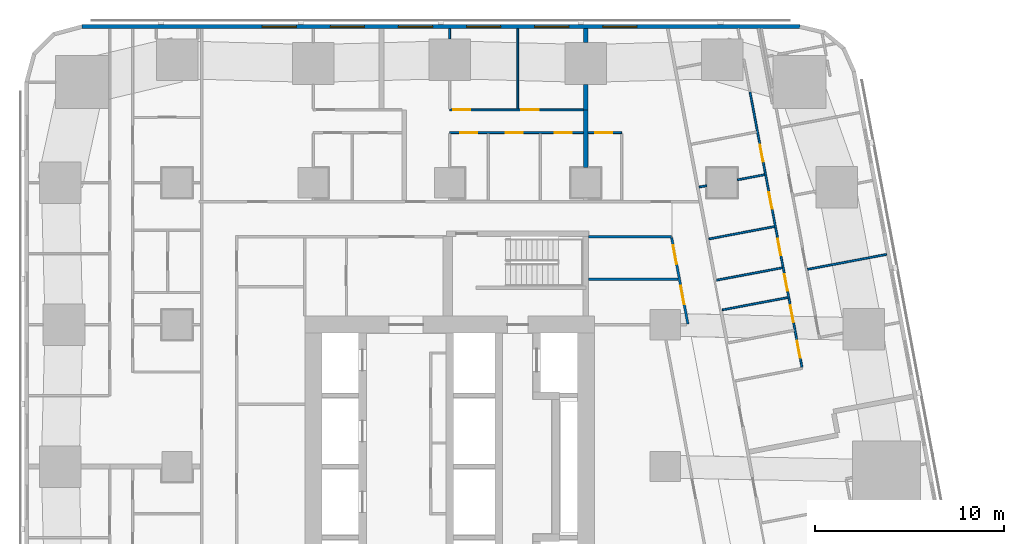
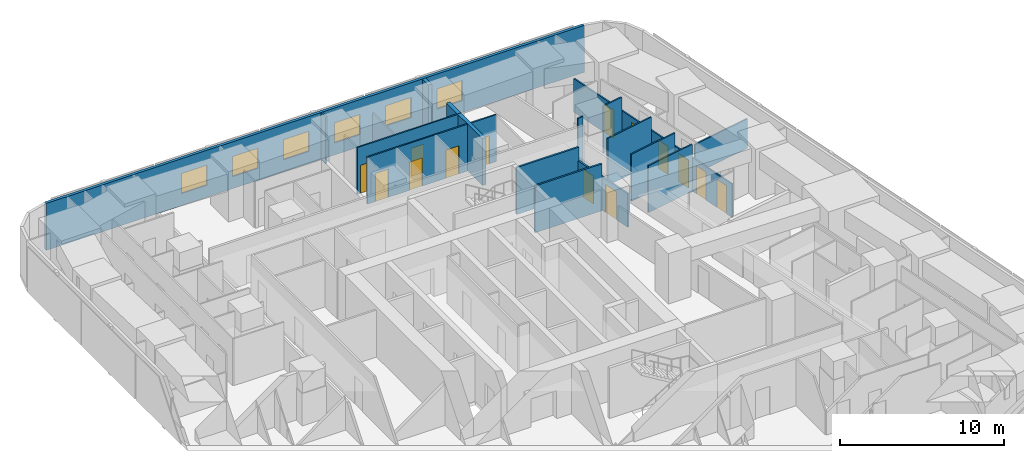
# One storey, part 11 of 17: 19 walls, 14 doors, 6 windows, 20 openings.
"""IFC4 building model written with IfcOpenShell, lengths in metres."""

from ifc_helpers import new_model, si_unit, direction, frame, frame_2d, origin, place, context, subcontext, project, spatial, rectangle, extrude, material, layer, layer_set, type_object, element, fill, save


model = new_model("IFC4")

# Units and contexts
model_context = context("Model", 3, precision=1e-05, world=origin(), true_north=direction((0.0, 1.0)))
body_context = subcontext(model_context, "Body", "Model", "MODEL_VIEW")
ifc_project = project(units=[si_unit("LENGTHUNIT", "METRE"), si_unit("AREAUNIT", "SQUARE_METRE"), si_unit("VOLUMEUNIT", "CUBIC_METRE"), si_unit("PLANEANGLEUNIT", "RADIAN"), si_unit("MASSUNIT", "GRAM", prefix="KILO")], contexts=[model_context])

# Site, building, storey
site_placement = place(None, origin())
site = spatial("IfcSite", under=ifc_project, at=site_placement, CompositionType="ELEMENT")
building_placement = place(site_placement, origin())
building = spatial("IfcBuilding", under=site, at=building_placement, Name="Sheger Commons Tower", CompositionType="ELEMENT")
storey_placement = place(building_placement, frame((0.0, 0.0, 115.39990234375)))
storey = spatial("IfcBuildingStorey", under=building, at=storey_placement, Name="L29", CompositionType="ELEMENT", Elevation=115.39990234375)

# Walls
ifc_material_1 = material(Name="Dense concrete block masonry, plastered both sides (separating wall between flats)", Category="masonry")
ifc_layer_1 = layer(ifc_material_1, 0.25)
ifc_layer_set_1 = layer_set([ifc_layer_1], Name="DEMISING WALL 250")
wall_type_1 = type_object("IfcWallType", Name="DEMISING WALL 250", PredefinedType="SOLIDWALL", material=ifc_layer_set_1)
wall_1_placement = place(storey_placement, frame((28.800048828125, 41.35009765625, 0.0), z_axis=(0.0, 0.0, 1.0), x_axis=(0.0, 1.0, 0.0)))
element("IfcWall", 1, at=wall_1_placement, inside=storey, type_object=wall_type_1, Name="Demising wall L29", PredefinedType="SOLIDWALL", context=body_context, shape_type="SweptSolid", body=[
    extrude(rectangle(XDim=1.348876953125, YDim=0.25, at=frame_2d((0.67431640625, 0.0))), origin(), (0.0, 0.0, 1.0), 3.5),
])
wall_2_placement = place(storey_placement, frame((28.800048828125, 44.90087890625, 0.0), z_axis=(0.0, 0.0, 1.0), x_axis=(0.0, 1.0, 0.0)))
element("IfcWall", 2, at=wall_2_placement, inside=storey, type_object=wall_type_1, Name="Demising wall L29", PredefinedType="SOLIDWALL", context=body_context, shape_type="SweptSolid", body=[
    extrude(rectangle(XDim=0.7490234375, YDim=0.25, at=frame_2d((0.37451171875, 0.0))), origin(), (0.0, 0.0, 1.0), 3.5),
])
wall_3_placement = place(storey_placement, frame((28.800048828125, 38.301025390625, 0.0), z_axis=(0.0, 0.0, 1.0), x_axis=(0.0, 1.0, 0.0)))
element("IfcWall", 3, at=wall_3_placement, inside=storey, type_object=wall_type_1, Name="Demising wall L29", PredefinedType="SOLIDWALL", context=body_context, shape_type="SweptSolid", body=[
    extrude(rectangle(XDim=3.049072265625, YDim=0.25, at=frame_2d((1.5244140625, 0.0))), origin(), (0.0, 0.0, 1.0), 3.5),
])

# Wall, openings, windows
ifc_material_2 = material(Name="Rendered concrete block masonry, dark grey", Category="masonry")
ifc_layer_2 = layer(ifc_material_2, 0.199951171875)
ifc_layer_set_2 = layer_set([ifc_layer_2], Name="FACADE WALL 200")
wall_type_2 = type_object("IfcWallType", Name="FACADE WALL 200", PredefinedType="SOLIDWALL", material=ifc_layer_set_2)
wall_4_placement = place(storey_placement, frame((40.10595703125, 45.75, 0.0), z_axis=(0.0, 0.0, 1.0), x_axis=(-1.0, 0.0, 0.0)))
wall_4 = element("IfcWall", 4, at=wall_4_placement, inside=storey, type_object=wall_type_2, Name="Facade wall L29", PredefinedType="SOLIDWALL", context=body_context, shape_type="SweptSolid", body=[
    extrude(rectangle(XDim=37.94287109375, YDim=0.199951171875, at=frame_2d((18.971435546875, 0.0))), origin(), (0.0, 0.0, 1.0), 3.5),
])
opening_1_placement = place(wall_4_placement, frame((8.60595703125, 0.0, 0.89990234375)))
opening_1 = element("IfcOpeningElement", 5, at=opening_1_placement, cuts=wall_4, Name="Opening W2", PredefinedType="OPENING", context=body_context, shape_type="SweptSolid", body=[
    extrude(rectangle(XDim=1.800048828125, YDim=1.5, at=frame_2d((0.89990234375, 0.75))), frame((0.0, 0.10986328125, 0.0), z_axis=(0.0, -1.0, 0.0), x_axis=(1.0, 0.0, 0.0)), (0.0, 0.0, 1.0), 0.219970703125),
])
opening_2_placement = place(wall_4_placement, frame((12.2060546875, 0.0, 0.89990234375)))
opening_2 = element("IfcOpeningElement", 6, at=opening_2_placement, cuts=wall_4, Name="Opening W2", PredefinedType="OPENING", context=body_context, shape_type="SweptSolid", body=[
    extrude(rectangle(XDim=1.800048828125, YDim=1.5, at=frame_2d((0.89990234375, 0.75))), frame((0.0, 0.10986328125, 0.0), z_axis=(0.0, -1.0, 0.0), x_axis=(1.0, 0.0, 0.0)), (0.0, 0.0, 1.0), 0.219970703125),
])
opening_3_placement = place(wall_4_placement, frame((15.805908203125, 0.0, 0.89990234375)))
opening_3 = element("IfcOpeningElement", 7, at=opening_3_placement, cuts=wall_4, Name="Opening W2", PredefinedType="OPENING", context=body_context, shape_type="SweptSolid", body=[
    extrude(rectangle(XDim=1.800048828125, YDim=1.5, at=frame_2d((0.89990234375, 0.75))), frame((0.0, 0.10986328125, 0.0), z_axis=(0.0, -1.0, 0.0), x_axis=(1.0, 0.0, 0.0)), (0.0, 0.0, 1.0), 0.219970703125),
])
opening_4_placement = place(wall_4_placement, frame((19.406005859375, 0.0, 0.89990234375)))
opening_4 = element("IfcOpeningElement", 8, at=opening_4_placement, cuts=wall_4, Name="Opening W2", PredefinedType="OPENING", context=body_context, shape_type="SweptSolid", body=[
    extrude(rectangle(XDim=1.800048828125, YDim=1.5, at=frame_2d((0.89990234375, 0.75))), frame((0.0, 0.10986328125, 0.0), z_axis=(0.0, -1.0, 0.0), x_axis=(1.0, 0.0, 0.0)), (0.0, 0.0, 1.0), 0.219970703125),
])
opening_5_placement = place(wall_4_placement, frame((23.006103515625, 0.0, 0.89990234375)))
opening_5 = element("IfcOpeningElement", 9, at=opening_5_placement, cuts=wall_4, Name="Opening W2", PredefinedType="OPENING", context=body_context, shape_type="SweptSolid", body=[
    extrude(rectangle(XDim=1.800048828125, YDim=1.5, at=frame_2d((0.89990234375, 0.75))), frame((0.0, 0.10986328125, 0.0), z_axis=(0.0, -1.0, 0.0), x_axis=(1.0, 0.0, 0.0)), (0.0, 0.0, 1.0), 0.219970703125),
])
opening_6_placement = place(wall_4_placement, frame((26.60595703125, 0.0, 0.89990234375)))
opening_6 = element("IfcOpeningElement", 10, at=opening_6_placement, cuts=wall_4, Name="Opening W2", PredefinedType="OPENING", context=body_context, shape_type="SweptSolid", body=[
    extrude(rectangle(XDim=1.800048828125, YDim=1.5, at=frame_2d((0.89990234375, 0.75))), frame((0.0, 0.10986328125, 0.0), z_axis=(0.0, -1.0, 0.0), x_axis=(1.0, 0.0, 0.0)), (0.0, 0.0, 1.0), 0.219970703125),
])
ifc_material_3 = material(Name="Black aluminium frame, dark tinted double glazing", Category="aluminium")
window_type = type_object("IfcWindowType", Name="WINDOW W2 1800x1500", PartitioningType="SINGLE_PANEL", PredefinedType="WINDOW", material=ifc_material_3)
window_1_placement = place(opening_1_placement, origin())
window_1 = element("IfcWindow", 11, at=window_1_placement, inside=storey, type_object=window_type, Name="Window W2 1800X1500", OverallHeight=1.5, OverallWidth=1.800048828125, PartitioningType="SINGLE_PANEL", PredefinedType="WINDOW", context=body_context, shape_type="SweptSolid", body=[
    extrude(rectangle(XDim=1.800048828125, YDim=1.5, at=frame_2d((0.89990234375, 0.75))), frame((0.0, 0.030029296875, 0.0), z_axis=(0.0, -1.0, 0.0), x_axis=(1.0, 0.0, 0.0)), (0.0, 0.0, 1.0), 0.06005859375),
])
fill(opening_1, window_1)
window_2_placement = place(opening_2_placement, origin())
window_2 = element("IfcWindow", 12, at=window_2_placement, inside=storey, type_object=window_type, Name="Window W2 1800X1500", OverallHeight=1.5, OverallWidth=1.800048828125, PartitioningType="SINGLE_PANEL", PredefinedType="WINDOW", context=body_context, shape_type="SweptSolid", body=[
    extrude(rectangle(XDim=1.800048828125, YDim=1.5, at=frame_2d((0.89990234375, 0.75))), frame((0.0, 0.030029296875, 0.0), z_axis=(0.0, -1.0, 0.0), x_axis=(1.0, 0.0, 0.0)), (0.0, 0.0, 1.0), 0.06005859375),
])
fill(opening_2, window_2)
window_3_placement = place(opening_3_placement, origin())
window_3 = element("IfcWindow", 13, at=window_3_placement, inside=storey, type_object=window_type, Name="Window W2 1800X1500", OverallHeight=1.5, OverallWidth=1.800048828125, PartitioningType="SINGLE_PANEL", PredefinedType="WINDOW", context=body_context, shape_type="SweptSolid", body=[
    extrude(rectangle(XDim=1.800048828125, YDim=1.5, at=frame_2d((0.89990234375, 0.75))), frame((0.0, 0.030029296875, 0.0), z_axis=(0.0, -1.0, 0.0), x_axis=(1.0, 0.0, 0.0)), (0.0, 0.0, 1.0), 0.06005859375),
])
fill(opening_3, window_3)
window_4_placement = place(opening_4_placement, origin())
window_4 = element("IfcWindow", 14, at=window_4_placement, inside=storey, type_object=window_type, Name="Window W2 1800X1500", OverallHeight=1.5, OverallWidth=1.800048828125, PartitioningType="SINGLE_PANEL", PredefinedType="WINDOW", context=body_context, shape_type="SweptSolid", body=[
    extrude(rectangle(XDim=1.800048828125, YDim=1.5, at=frame_2d((0.89990234375, 0.75))), frame((0.0, 0.030029296875, 0.0), z_axis=(0.0, -1.0, 0.0), x_axis=(1.0, 0.0, 0.0)), (0.0, 0.0, 1.0), 0.06005859375),
])
fill(opening_4, window_4)
window_5_placement = place(opening_5_placement, origin())
window_5 = element("IfcWindow", 15, at=window_5_placement, inside=storey, type_object=window_type, Name="Window W2 1800X1500", OverallHeight=1.5, OverallWidth=1.800048828125, PartitioningType="SINGLE_PANEL", PredefinedType="WINDOW", context=body_context, shape_type="SweptSolid", body=[
    extrude(rectangle(XDim=1.800048828125, YDim=1.5, at=frame_2d((0.89990234375, 0.75))), frame((0.0, 0.030029296875, 0.0), z_axis=(0.0, -1.0, 0.0), x_axis=(1.0, 0.0, 0.0)), (0.0, 0.0, 1.0), 0.06005859375),
])
fill(opening_5, window_5)
window_6_placement = place(opening_6_placement, origin())
window_6 = element("IfcWindow", 16, at=window_6_placement, inside=storey, type_object=window_type, Name="Window W2 1800X1500", OverallHeight=1.5, OverallWidth=1.800048828125, PartitioningType="SINGLE_PANEL", PredefinedType="WINDOW", context=body_context, shape_type="SweptSolid", body=[
    extrude(rectangle(XDim=1.800048828125, YDim=1.5, at=frame_2d((0.89990234375, 0.75))), frame((0.0, 0.030029296875, 0.0), z_axis=(0.0, -1.0, 0.0), x_axis=(1.0, 0.0, 0.0)), (0.0, 0.0, 1.0), 0.06005859375),
])
fill(opening_6, window_6)

# Wall, openings, doors
ifc_material_4 = material(Name="Gypsum board on steel studs", Category="steel")
ifc_layer_3 = layer(ifc_material_4, 0.10009765625)
ifc_layer_set_3 = layer_set([ifc_layer_3], Name="PARTITION 100")
wall_type_3 = type_object("IfcWallType", Name="PARTITION 100", PredefinedType="PARTITIONING", material=ifc_layer_set_3)
wall_5_placement = place(storey_placement, frame((37.472900390625, 42.30908203125, 0.0), z_axis=(0.0, 0.0, 1.0), x_axis=(0.185583982986, -0.982628406499, 0.0)))
wall_5 = element("IfcWall", 17, at=wall_5_placement, inside=storey, type_object=wall_type_3, Name="Partition L29", PredefinedType="PARTITIONING", context=body_context, shape_type="SweptSolid", body=[
    extrude(rectangle(XDim=14.82470703125, YDim=0.10009765625, at=frame_2d((7.412353515625, 0.0))), origin(), (0.0, 0.0, 1.0), 2.5),
])
opening_7_placement = place(wall_5_placement, frame((13.39990234375, 0.0, 0.0)))
opening_7 = element("IfcOpeningElement", 18, at=opening_7_placement, cuts=wall_5, Name="Opening D2", PredefinedType="OPENING", context=body_context, shape_type="SweptSolid", body=[
    extrude(rectangle(XDim=0.89990234375, YDim=2.10009765625, at=frame_2d((0.449951171875, 1.050048828125))), frame((0.0, 0.06005859375, 0.0), z_axis=(0.0, -1.0, 0.0), x_axis=(1.0, 0.0, 0.0)), (0.0, 0.0, 1.0), 0.1201171875),
])
opening_8_placement = place(wall_5_placement, frame((9.80810546875, 0.0, 0.0)))
opening_8 = element("IfcOpeningElement", 19, at=opening_8_placement, cuts=wall_5, Name="Opening D2", PredefinedType="OPENING", context=body_context, shape_type="SweptSolid", body=[
    extrude(rectangle(XDim=0.89990234375, YDim=2.10009765625, at=frame_2d((0.449951171875, 1.050048828125))), frame((0.0, 0.06005859375, 0.0), z_axis=(0.0, -1.0, 0.0), x_axis=(1.0, 0.0, 0.0)), (0.0, 0.0, 1.0), 0.1201171875),
])
opening_9_placement = place(wall_5_placement, frame((5.39697265625, 0.0, 0.0)))
opening_9 = element("IfcOpeningElement", 20, at=opening_9_placement, cuts=wall_5, Name="Opening D2", PredefinedType="OPENING", context=body_context, shape_type="SweptSolid", body=[
    extrude(rectangle(XDim=0.89990234375, YDim=2.10009765625, at=frame_2d((0.449951171875, 1.050048828125))), frame((0.0, 0.06005859375, 0.0), z_axis=(0.0, -1.0, 0.0), x_axis=(1.0, 0.0, 0.0)), (0.0, 0.0, 1.0), 0.1201171875),
])
opening_10_placement = place(wall_5_placement, frame((2.85302734375, 0.0, 0.0)))
opening_10 = element("IfcOpeningElement", 21, at=opening_10_placement, cuts=wall_5, Name="Opening D2", PredefinedType="OPENING", context=body_context, shape_type="SweptSolid", body=[
    extrude(rectangle(XDim=0.89990234375, YDim=2.10009765625, at=frame_2d((0.449951171875, 1.050048828125))), frame((0.0, 0.06005859375, 0.0), z_axis=(0.0, -1.0, 0.0), x_axis=(1.0, 0.0, 0.0)), (0.0, 0.0, 1.0), 0.1201171875),
])
opening_11_placement = place(wall_5_placement, frame((11.490966796875, 0.0, 0.0)))
opening_11 = element("IfcOpeningElement", 22, at=opening_11_placement, cuts=wall_5, Name="Opening D2", PredefinedType="OPENING", context=body_context, shape_type="SweptSolid", body=[
    extrude(rectangle(XDim=0.89990234375, YDim=2.10009765625, at=frame_2d((0.449951171875, 1.050048828125))), frame((0.0, 0.06005859375, 0.0), z_axis=(0.0, -1.0, 0.0), x_axis=(1.0, 0.0, 0.0)), (0.0, 0.0, 1.0), 0.1201171875),
])
opening_12_placement = place(wall_5_placement, frame((7.89990234375, 0.0, 0.0)))
opening_12 = element("IfcOpeningElement", 23, at=opening_12_placement, cuts=wall_5, Name="Opening D2", PredefinedType="OPENING", context=body_context, shape_type="SweptSolid", body=[
    extrude(rectangle(XDim=0.89990234375, YDim=2.10009765625, at=frame_2d((0.449951171875, 1.050048828125))), frame((0.0, 0.06005859375, 0.0), z_axis=(0.0, -1.0, 0.0), x_axis=(1.0, 0.0, 0.0)), (0.0, 0.0, 1.0), 0.1201171875),
])
ifc_material_5 = material(Name="Timber door set", Category="wood")
door_type_1 = type_object("IfcDoorType", Name="INTERNAL DOOR 900x2100", OperationType="NOTDEFINED", PredefinedType="DOOR", material=ifc_material_5)
door_1_placement = place(opening_7_placement, origin())
door_1 = element("IfcDoor", 24, at=door_1_placement, inside=storey, type_object=door_type_1, Name="Bathroom door", OperationType="SINGLE_SWING_LEFT", OverallHeight=2.10009765625, OverallWidth=0.89990234375, PredefinedType="DOOR", context=body_context, shape_type="SweptSolid", body=[
    extrude(rectangle(XDim=0.89990234375, YDim=2.10009765625, at=frame_2d((0.449951171875, 1.050048828125))), frame((0.0, 0.02490234375, 0.0), z_axis=(0.0, -1.0, 0.0), x_axis=(1.0, 0.0, 0.0)), (0.0, 0.0, 1.0), 0.050048828125),
])
fill(opening_7, door_1)
door_2_placement = place(opening_8_placement, origin())
door_2 = element("IfcDoor", 25, at=door_2_placement, inside=storey, type_object=door_type_1, Name="Shower room door", OperationType="SINGLE_SWING_LEFT", OverallHeight=2.10009765625, OverallWidth=0.89990234375, PredefinedType="DOOR", context=body_context, shape_type="SweptSolid", body=[
    extrude(rectangle(XDim=0.89990234375, YDim=2.10009765625, at=frame_2d((0.449951171875, 1.050048828125))), frame((0.0, 0.02490234375, 0.0), z_axis=(0.0, -1.0, 0.0), x_axis=(1.0, 0.0, 0.0)), (0.0, 0.0, 1.0), 0.050048828125),
])
fill(opening_8, door_2)
door_3_placement = place(opening_9_placement, origin())
door_3 = element("IfcDoor", 26, at=door_3_placement, inside=storey, type_object=door_type_1, Name="Store and laundry door", OperationType="SINGLE_SWING_LEFT", OverallHeight=2.10009765625, OverallWidth=0.89990234375, PredefinedType="DOOR", context=body_context, shape_type="SweptSolid", body=[
    extrude(rectangle(XDim=0.89990234375, YDim=2.10009765625, at=frame_2d((0.449951171875, 1.050048828125))), frame((0.0, 0.02490234375, 0.0), z_axis=(0.0, -1.0, 0.0), x_axis=(1.0, 0.0, 0.0)), (0.0, 0.0, 1.0), 0.050048828125),
])
fill(opening_9, door_3)
door_4_placement = place(opening_10_placement, origin())
door_4 = element("IfcDoor", 27, at=door_4_placement, inside=storey, type_object=door_type_1, Name="Store and laundry door", OperationType="SINGLE_SWING_RIGHT", OverallHeight=2.10009765625, OverallWidth=0.89990234375, PredefinedType="DOOR", context=body_context, shape_type="SweptSolid", body=[
    extrude(rectangle(XDim=0.89990234375, YDim=2.10009765625, at=frame_2d((0.449951171875, 1.050048828125))), frame((0.0, 0.02490234375, 0.0), z_axis=(0.0, -1.0, 0.0), x_axis=(1.0, 0.0, 0.0)), (0.0, 0.0, 1.0), 0.050048828125),
])
fill(opening_10, door_4)
door_5_placement = place(opening_11_placement, origin())
door_5 = element("IfcDoor", 28, at=door_5_placement, inside=storey, type_object=door_type_1, Name="Store door", OperationType="SINGLE_SWING_RIGHT", OverallHeight=2.10009765625, OverallWidth=0.89990234375, PredefinedType="DOOR", context=body_context, shape_type="SweptSolid", body=[
    extrude(rectangle(XDim=0.89990234375, YDim=2.10009765625, at=frame_2d((0.449951171875, 1.050048828125))), frame((0.0, 0.02490234375, 0.0), z_axis=(0.0, -1.0, 0.0), x_axis=(1.0, 0.0, 0.0)), (0.0, 0.0, 1.0), 0.050048828125),
])
fill(opening_11, door_5)
door_6_placement = place(opening_12_placement, origin())
door_6 = element("IfcDoor", 29, at=door_6_placement, inside=storey, type_object=door_type_1, Name="Store door", OperationType="SINGLE_SWING_RIGHT", OverallHeight=2.10009765625, OverallWidth=0.89990234375, PredefinedType="DOOR", context=body_context, shape_type="SweptSolid", body=[
    extrude(rectangle(XDim=0.89990234375, YDim=2.10009765625, at=frame_2d((0.449951171875, 1.050048828125))), frame((0.0, 0.02490234375, 0.0), z_axis=(0.0, -1.0, 0.0), x_axis=(1.0, 0.0, 0.0)), (0.0, 0.0, 1.0), 0.050048828125),
])
fill(opening_12, door_6)

# Walls
wall_6_placement = place(storey_placement, frame((44.693115234375, 33.712890625, 0.0), z_axis=(0.0, 0.0, 1.0), x_axis=(-0.982623519589, -0.185609856287, 0.0)))
element("IfcWall", 30, at=wall_6_placement, inside=storey, type_object=wall_type_3, Name="Partition L29", PredefinedType="PARTITIONING", context=body_context, shape_type="SweptSolid", body=[
    extrude(rectangle(XDim=4.249755859375, YDim=0.10009765625, at=frame_2d((2.125, 0.0))), origin(), (0.0, 0.0, 1.0), 2.2001953125),
])
wall_7_placement = place(storey_placement, frame((38.25, 37.925048828125, 0.0), z_axis=(0.0, 0.0, 1.0), x_axis=(-0.982626127294, -0.185596050493, 0.0)))
element("IfcWall", 31, at=wall_7_placement, inside=storey, type_object=wall_type_3, Name="Partition L29", PredefinedType="PARTITIONING", context=body_context, shape_type="SweptSolid", body=[
    extrude(rectangle(XDim=1.46533203125, YDim=0.10009765625, at=frame_2d((0.732666015625, 0.0))), origin(), (0.0, 0.0, 1.0), 3.5),
])
wall_8_placement = place(storey_placement, frame((35.18994140625, 37.346923828125, 0.0), z_axis=(0.0, 0.0, 1.0), x_axis=(-0.982798158448, -0.184682916784, 0.0)))
element("IfcWall", 32, at=wall_8_placement, inside=storey, type_object=wall_type_3, Name="Partition L29", PredefinedType="PARTITIONING", context=body_context, shape_type="SweptSolid", body=[
    extrude(rectangle(XDim=0.4111328125, YDim=0.10009765625, at=frame_2d((0.20556640625, 0.0))), origin(), (0.0, 0.0, 1.0), 3.5),
])
for number, where, z_axis, x_axis, name in (
    (33, (39.47607421875, 31.43408203125, 0.0), (0.0, 0.0, 1.0), (-0.982638553676, -0.185530247748, 0.0), "Partition L29"),
    (34, (38.76806640625, 35.18408203125, 0.0), (0.0, 0.0, 1.0), (-0.982588017646, -0.185797706064, 0.0), "Partition L29"),
):
    element("IfcWall", number, at=place(storey_placement, frame(where, z_axis=z_axis, x_axis=x_axis)), inside=storey, type_object=wall_type_3, Name=name, PredefinedType="PARTITIONING", context=body_context, shape_type="SweptSolid", body=[
        extrude(rectangle(XDim=3.525390625, YDim=0.10009765625, at=frame_2d((1.7626953125, 0.0))), origin(), (0.0, 0.0, 1.0), 3.5),
    ])
wall_9_placement = place(storey_placement, frame((39.178955078125, 33.006103515625, 0.0), z_axis=(0.0, 0.0, 1.0), x_axis=(-0.982636169624, -0.185542874149, 0.0)))
element("IfcWall", 35, at=wall_9_placement, inside=storey, type_object=wall_type_3, Name="Partition L29", PredefinedType="PARTITIONING", context=body_context, shape_type="SweptSolid", body=[
    extrude(rectangle(XDim=3.525146484375, YDim=0.10009765625, at=frame_2d((1.7626953125, 0.0))), origin(), (0.0, 0.0, 1.0), 3.5),
])

# Wall, openings, doors
wall_10_placement = place(storey_placement, frame((21.60009765625, 41.35009765625, 0.0), z_axis=(0.0, 0.0, 1.0), x_axis=(1.0, 0.0, 0.0)))
wall_10 = element("IfcWall", 36, at=wall_10_placement, inside=storey, type_object=wall_type_3, Name="Partition L29", PredefinedType="PARTITIONING", context=body_context, shape_type="SweptSolid", body=[
    extrude(rectangle(XDim=7.074951171875, YDim=0.10009765625, at=frame_2d((3.53759765625, 0.0))), origin(), (0.0, 0.0, 1.0), 3.5),
])
opening_13_placement = place(wall_10_placement, frame((0.199951171875, 0.0, 0.0)))
opening_13 = element("IfcOpeningElement", 37, at=opening_13_placement, cuts=wall_10, Name="Opening D2", PredefinedType="OPENING", context=body_context, shape_type="SweptSolid", body=[
    extrude(rectangle(XDim=0.89990234375, YDim=2.10009765625, at=frame_2d((0.449951171875, 1.050048828125))), frame((0.0, 0.06005859375, 0.0), z_axis=(0.0, -1.0, 0.0), x_axis=(1.0, 0.0, 0.0)), (0.0, 0.0, 1.0), 0.1201171875),
])
opening_14_placement = place(wall_10_placement, frame((3.800048828125, 0.0, 0.0)))
opening_14 = element("IfcOpeningElement", 38, at=opening_14_placement, cuts=wall_10, Name="Opening D2", PredefinedType="OPENING", context=body_context, shape_type="SweptSolid", body=[
    extrude(rectangle(XDim=0.89990234375, YDim=2.10009765625, at=frame_2d((0.449951171875, 1.050048828125))), frame((0.0, 0.06005859375, 0.0), z_axis=(0.0, -1.0, 0.0), x_axis=(1.0, 0.0, 0.0)), (0.0, 0.0, 1.0), 0.1201171875),
])
door_7_placement = place(opening_13_placement, origin())
door_7 = element("IfcDoor", 39, at=door_7_placement, inside=storey, type_object=door_type_1, Name="Main bedroom door", OperationType="SINGLE_SWING_LEFT", OverallHeight=2.10009765625, OverallWidth=0.89990234375, PredefinedType="DOOR", context=body_context, shape_type="SweptSolid", body=[
    extrude(rectangle(XDim=0.89990234375, YDim=2.10009765625, at=frame_2d((0.449951171875, 1.050048828125))), frame((0.0, 0.02490234375, 0.0), z_axis=(0.0, -1.0, 0.0), x_axis=(1.0, 0.0, 0.0)), (0.0, 0.0, 1.0), 0.050048828125),
])
fill(opening_13, door_7)
door_8_placement = place(opening_14_placement, origin())
door_8 = element("IfcDoor", 40, at=door_8_placement, inside=storey, type_object=door_type_1, Name="Bedroom 2 door", OperationType="SINGLE_SWING_LEFT", OverallHeight=2.10009765625, OverallWidth=0.89990234375, PredefinedType="DOOR", context=body_context, shape_type="SweptSolid", body=[
    extrude(rectangle(XDim=0.89990234375, YDim=2.10009765625, at=frame_2d((0.449951171875, 1.050048828125))), frame((0.0, 0.02490234375, 0.0), z_axis=(0.0, -1.0, 0.0), x_axis=(1.0, 0.0, 0.0)), (0.0, 0.0, 1.0), 0.050048828125),
])
fill(opening_14, door_8)

wall_11_placement = place(storey_placement, frame((21.60009765625, 40.14990234375, 0.0), z_axis=(0.0, 0.0, 1.0), x_axis=(1.0, 0.0, 0.0)))
wall_11 = element("IfcWall", 41, at=wall_11_placement, inside=storey, type_object=wall_type_3, Name="Partition L29", PredefinedType="PARTITIONING", context=body_context, shape_type="SweptSolid", body=[
    extrude(rectangle(XDim=7.074951171875, YDim=0.10009765625, at=frame_2d((3.53759765625, 0.0))), origin(), (0.0, 0.0, 1.0), 3.5),
])
opening_15_placement = place(wall_11_placement, frame((0.574951171875, 0.0, 0.0)))
opening_15 = element("IfcOpeningElement", 42, at=opening_15_placement, cuts=wall_11, Name="Opening D2", PredefinedType="OPENING", context=body_context, shape_type="SweptSolid", body=[
    extrude(rectangle(XDim=0.89990234375, YDim=2.10009765625, at=frame_2d((0.449951171875, 1.050048828125))), frame((0.0, 0.06005859375, 0.0), z_axis=(0.0, -1.0, 0.0), x_axis=(1.0, 0.0, 0.0)), (0.0, 0.0, 1.0), 0.1201171875),
])
opening_16_placement = place(wall_11_placement, frame((5.549072265625, 0.0, 0.0)))
opening_16 = element("IfcOpeningElement", 43, at=opening_16_placement, cuts=wall_11, Name="Opening D2", PredefinedType="OPENING", context=body_context, shape_type="SweptSolid", body=[
    extrude(rectangle(XDim=0.89990234375, YDim=2.10009765625, at=frame_2d((0.449951171875, 1.050048828125))), frame((0.0, 0.06005859375, 0.0), z_axis=(0.0, -1.0, 0.0), x_axis=(1.0, 0.0, 0.0)), (0.0, 0.0, 1.0), 0.1201171875),
])
opening_17_placement = place(wall_11_placement, frame((2.97412109375, 0.0, 0.0)))
opening_17 = element("IfcOpeningElement", 44, at=opening_17_placement, cuts=wall_11, Name="Opening D2", PredefinedType="OPENING", context=body_context, shape_type="SweptSolid", body=[
    extrude(rectangle(XDim=0.89990234375, YDim=2.10009765625, at=frame_2d((0.449951171875, 1.050048828125))), frame((0.0, 0.06005859375, 0.0), z_axis=(0.0, -1.0, 0.0), x_axis=(1.0, 0.0, 0.0)), (0.0, 0.0, 1.0), 0.1201171875),
])
door_9_placement = place(opening_15_placement, origin())
door_9 = element("IfcDoor", 45, at=door_9_placement, inside=storey, type_object=door_type_1, Name="Bathroom door", OperationType="SINGLE_SWING_RIGHT", OverallHeight=2.10009765625, OverallWidth=0.89990234375, PredefinedType="DOOR", context=body_context, shape_type="SweptSolid", body=[
    extrude(rectangle(XDim=0.89990234375, YDim=2.10009765625, at=frame_2d((0.449951171875, 1.050048828125))), frame((0.0, 0.02490234375, 0.0), z_axis=(0.0, -1.0, 0.0), x_axis=(1.0, 0.0, 0.0)), (0.0, 0.0, 1.0), 0.050048828125),
])
fill(opening_15, door_9)
door_10_placement = place(opening_16_placement, origin())
door_10 = element("IfcDoor", 46, at=door_10_placement, inside=storey, type_object=door_type_1, Name="Laundry room door", OperationType="SINGLE_SWING_LEFT", OverallHeight=2.10009765625, OverallWidth=0.89990234375, PredefinedType="DOOR", context=body_context, shape_type="SweptSolid", body=[
    extrude(rectangle(XDim=0.89990234375, YDim=2.10009765625, at=frame_2d((0.449951171875, 1.050048828125))), frame((0.0, 0.02490234375, 0.0), z_axis=(0.0, -1.0, 0.0), x_axis=(1.0, 0.0, 0.0)), (0.0, 0.0, 1.0), 0.050048828125),
])
fill(opening_16, door_10)
door_11_placement = place(opening_17_placement, origin())
door_11 = element("IfcDoor", 47, at=door_11_placement, inside=storey, type_object=door_type_1, Name="Store door", OperationType="SINGLE_SWING_LEFT", OverallHeight=2.10009765625, OverallWidth=0.89990234375, PredefinedType="DOOR", context=body_context, shape_type="SweptSolid", body=[
    extrude(rectangle(XDim=0.89990234375, YDim=2.10009765625, at=frame_2d((0.449951171875, 1.050048828125))), frame((0.0, 0.02490234375, 0.0), z_axis=(0.0, -1.0, 0.0), x_axis=(1.0, 0.0, 0.0)), (0.0, 0.0, 1.0), 0.050048828125),
])
fill(opening_17, door_11)

# Walls
wall_12_placement = place(storey_placement, frame((21.60009765625, 45.10107421875, 0.0), z_axis=(0.0, 0.0, 1.0), x_axis=(0.0, 1.0, 0.0)))
element("IfcWall", 48, at=wall_12_placement, inside=storey, type_object=wall_type_3, Name="Partition L29", PredefinedType="PARTITIONING", context=body_context, shape_type="SweptSolid", body=[
    extrude(rectangle(XDim=0.548828125, YDim=0.10009765625, at=frame_2d((0.2744140625, 0.0))), origin(), (0.0, 0.0, 1.0), 3.5),
])
wall_13_placement = place(storey_placement, frame((25.199951171875, 41.39990234375, 0.0), z_axis=(0.0, 0.0, 1.0), x_axis=(0.0, 1.0, 0.0)))
element("IfcWall", 49, at=wall_13_placement, inside=storey, type_object=wall_type_3, Name="Partition L29", PredefinedType="PARTITIONING", context=body_context, shape_type="SweptSolid", body=[
    extrude(rectangle(XDim=4.25, YDim=0.10009765625, at=frame_2d((2.125, 0.0))), origin(), (0.0, 0.0, 1.0), 2.2001953125),
])

# Wall, opening, door
wall_14_placement = place(storey_placement, frame((28.925048828125, 40.14990234375, 0.0), z_axis=(0.0, 0.0, 1.0), x_axis=(1.0, 0.0, 0.0)))
wall_14 = element("IfcWall", 50, at=wall_14_placement, inside=storey, type_object=wall_type_3, Name="Partition L29", PredefinedType="PARTITIONING", context=body_context, shape_type="SweptSolid", body=[
    extrude(rectangle(XDim=1.764892578125, YDim=0.10009765625, at=frame_2d((0.88232421875, 0.0))), origin(), (0.0, 0.0, 1.0), 3.5),
])
opening_18_placement = place(wall_14_placement, frame((0.375, 0.0, 0.0)))
opening_18 = element("IfcOpeningElement", 51, at=opening_18_placement, cuts=wall_14, Name="Opening D2", PredefinedType="OPENING", context=body_context, shape_type="SweptSolid", body=[
    extrude(rectangle(XDim=0.89990234375, YDim=2.10009765625, at=frame_2d((0.449951171875, 1.050048828125))), frame((0.0, 0.06005859375, 0.0), z_axis=(0.0, -1.0, 0.0), x_axis=(1.0, 0.0, 0.0)), (0.0, 0.0, 1.0), 0.1201171875),
])
door_12_placement = place(opening_18_placement, origin())
door_12 = element("IfcDoor", 52, at=door_12_placement, inside=storey, type_object=door_type_1, Name="Shower room door", OperationType="SINGLE_SWING_RIGHT", OverallHeight=2.10009765625, OverallWidth=0.89990234375, PredefinedType="DOOR", context=body_context, shape_type="SweptSolid", body=[
    extrude(rectangle(XDim=0.89990234375, YDim=2.10009765625, at=frame_2d((0.449951171875, 1.050048828125))), frame((0.0, 0.02490234375, 0.0), z_axis=(0.0, -1.0, 0.0), x_axis=(1.0, 0.0, 0.0)), (0.0, 0.0, 1.0), 0.050048828125),
])
fill(opening_18, door_12)

# Wall
ifc_material_6 = material(Name="Gypsum board on steel studs, two layers each side, fire rated", Category="steel")
ifc_layer_4 = layer(ifc_material_6, 0.125)
ifc_layer_set_4 = layer_set([ifc_layer_4], Name="SERVICE WALL 125")
wall_type_4 = type_object("IfcWallType", Name="SERVICE WALL 125", PredefinedType="PARTITIONING", material=ifc_layer_set_4)
wall_15_placement = place(storey_placement, frame((28.949951171875, 34.64990234375, 0.0), z_axis=(0.0, 0.0, 1.0), x_axis=(1.0, 0.0, 0.0)))
element("IfcWall", 53, at=wall_15_placement, inside=storey, type_object=wall_type_4, Name="Service room wall L29", PredefinedType="PARTITIONING", context=body_context, shape_type="SweptSolid", body=[
    extrude(rectangle(XDim=4.381103515625, YDim=0.125, at=frame_2d((2.1904296875, 0.0))), origin(), (0.0, 0.0, 1.0), 3.5),
])

# Wall, openings, doors
wall_16_placement = place(storey_placement, frame((34.193115234375, 30.0400390625, 0.0), z_axis=(0.0, 0.0, 1.0), x_axis=(-0.185626015863, 0.982620467034, 0.0)))
wall_16 = element("IfcWall", 54, at=wall_16_placement, inside=storey, type_object=wall_type_4, Name="Service room wall L29", PredefinedType="PARTITIONING", context=body_context, shape_type="SweptSolid", body=[
    extrude(rectangle(XDim=4.628173828125, YDim=0.125, at=frame_2d((2.31396484375, 0.0))), origin(), (0.0, 0.0, 1.0), 2.5),
])
opening_19_placement = place(wall_16_placement, frame((1.050048828125, 0.0, 0.0)))
opening_19 = element("IfcOpeningElement", 55, at=opening_19_placement, cuts=wall_16, Name="Opening D4", PredefinedType="OPENING", context=body_context, shape_type="SweptSolid", body=[
    extrude(rectangle(XDim=1.0, YDim=2.10009765625, at=frame_2d((0.5, 1.050048828125))), frame((0.0, 0.072509765625, 0.0), z_axis=(0.0, -1.0, 0.0), x_axis=(1.0, 0.0, 0.0)), (0.0, 0.0, 1.0), 0.14501953125),
])
opening_20_placement = place(wall_16_placement, frame((3.22509765625, 0.0, 0.0)))
opening_20 = element("IfcOpeningElement", 56, at=opening_20_placement, cuts=wall_16, Name="Opening D4", PredefinedType="OPENING", context=body_context, shape_type="SweptSolid", body=[
    extrude(rectangle(XDim=1.0, YDim=2.10009765625, at=frame_2d((0.5, 1.050048828125))), frame((0.0, 0.072509765625, 0.0), z_axis=(0.0, -1.0, 0.0), x_axis=(1.0, 0.0, 0.0)), (0.0, 0.0, 1.0), 0.14501953125),
])
ifc_material_7 = material(Name="Steel door set, fire rated", Category="steel")
door_type_2 = type_object("IfcDoorType", Name="SERVICE DOOR 1000x2100", OperationType="NOTDEFINED", PredefinedType="DOOR", material=ifc_material_7)
door_13_placement = place(opening_19_placement, origin())
door_13 = element("IfcDoor", 57, at=door_13_placement, inside=storey, type_object=door_type_2, Name="Linen store door", OperationType="SINGLE_SWING_RIGHT", OverallHeight=2.10009765625, OverallWidth=1.0, PredefinedType="DOOR", context=body_context, shape_type="SweptSolid", body=[
    extrude(rectangle(XDim=1.0, YDim=2.10009765625, at=frame_2d((0.5, 1.050048828125))), frame((0.0, 0.02490234375, 0.0), z_axis=(0.0, -1.0, 0.0), x_axis=(1.0, 0.0, 0.0)), (0.0, 0.0, 1.0), 0.050048828125),
])
fill(opening_19, door_13)
door_14_placement = place(opening_20_placement, origin())
door_14 = element("IfcDoor", 58, at=door_14_placement, inside=storey, type_object=door_type_2, Name="Cleaner's store door", OperationType="SINGLE_SWING_RIGHT", OverallHeight=2.10009765625, OverallWidth=1.0, PredefinedType="DOOR", context=body_context, shape_type="SweptSolid", body=[
    extrude(rectangle(XDim=1.0, YDim=2.10009765625, at=frame_2d((0.5, 1.050048828125))), frame((0.0, 0.02490234375, 0.0), z_axis=(0.0, -1.0, 0.0), x_axis=(1.0, 0.0, 0.0)), (0.0, 0.0, 1.0), 0.050048828125),
])
fill(opening_20, door_14)

# Wall
wall_17_placement = place(storey_placement, frame((28.949951171875, 32.39990234375, 0.0), z_axis=(0.0, 0.0, 1.0), x_axis=(1.0, 0.0, 0.0)))
element("IfcWall", 59, at=wall_17_placement, inside=storey, type_object=wall_type_4, Name="Service room wall L29", PredefinedType="PARTITIONING", context=body_context, shape_type="SweptSolid", body=[
    extrude(rectangle(XDim=4.72216796875, YDim=0.125, at=frame_2d((2.361083984375, 0.0))), origin(), (0.0, 0.0, 1.0), 3.5),
])

save(model, "model.ifc")
